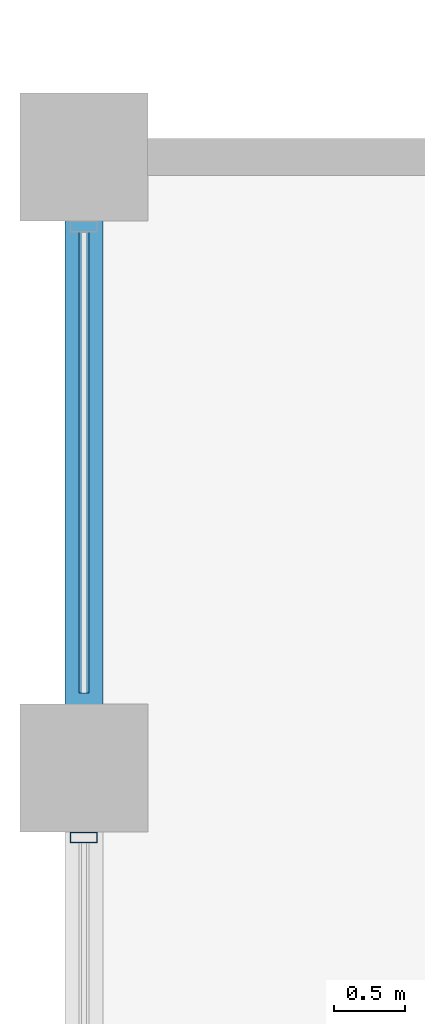
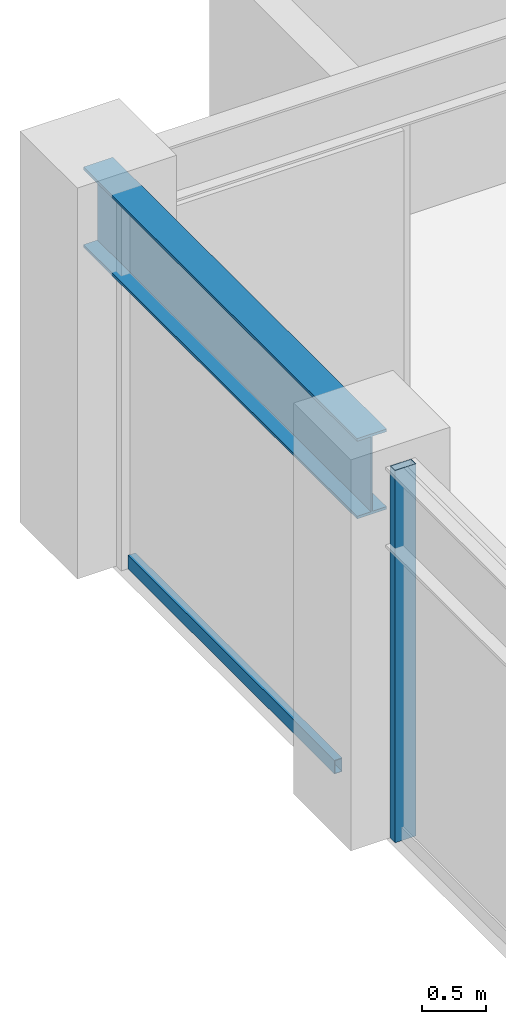
# One storey, part 16 of 32: 2 members, 1 beam, 1 element without a shape of its own.
"""IFC4 building model written with IfcOpenShell, lengths in metres."""

from ifc_helpers import new_model, si_unit, direction, frame, origin, origin_2d, place, context, subcontext, project, spatial, hollow_rectangle, i_section, extrude, material, layer, layer_set, material_profile, profile_set, type_object, element, aggregate, save


model = new_model("IFC4")

# Units and contexts
model_context = context("Model", 3, precision=1e-05, world=origin(), true_north=direction((0.0, 1.0)))
body_context = subcontext(model_context, "Body", "Model", "MODEL_VIEW")
ifc_project = project(units=[si_unit("LENGTHUNIT", "METRE"), si_unit("AREAUNIT", "SQUARE_METRE"), si_unit("VOLUMEUNIT", "CUBIC_METRE"), si_unit("PLANEANGLEUNIT", "RADIAN"), si_unit("MASSUNIT", "GRAM", prefix="KILO")], contexts=[model_context])

# Site, building, storey
site_placement = place(None, origin())
site = spatial("IfcSite", under=ifc_project, at=site_placement, CompositionType="ELEMENT")
building_placement = place(site_placement, origin())
building = spatial("IfcBuilding", under=site, at=building_placement, Name="Surkhivell Harbour Commons", CompositionType="ELEMENT")
storey_placement = place(building_placement, frame((0.0, 0.0, 212.25)))
storey = spatial("IfcBuildingStorey", under=building, at=storey_placement, Name="L55", CompositionType="ELEMENT", Elevation=212.25)

# Beam
ifc_material_1 = material(Name="Steel S355", Category="steel")
ifc_material_profile_1 = material_profile(ifc_material_1, i_section(OverallWidth=0.26806640625, OverallDepth=0.77001953125, WebThickness=0.015625, FlangeThickness=0.025390625, at=origin_2d()), Name="UB762x267x197")
ifc_profile_set_1 = profile_set([ifc_material_profile_1], Name="Steel S355")
beam_type = type_object("IfcBeamType", Name="BM-SPN-762", PredefinedType="SPANDREL", material=ifc_profile_set_1)
beam_placement = place(storey_placement, frame((-27.0, 16.199951171875, 3.18505859375), z_axis=(0.0, 1.0, 0.0), x_axis=(-1.0, 0.0, 0.0)))
element("IfcBeam", 1, at=beam_placement, inside=storey, type_object=beam_type, Name="L55 Tube Spandrel (-27.0,16.2)", PredefinedType="SPANDREL", context=body_context, shape_type="SweptSolid", body=[
    extrude(i_section(OverallWidth=0.26806640625, OverallDepth=0.77001953125, WebThickness=0.015625, FlangeThickness=0.025390625, at=origin_2d()), origin(), (0.0, 0.0, 1.0), 4.300048828125),
])

# Curtain wall, members
ifc_material_2 = material(Name="Anodised pale-metal aluminium and insulated glazing", Category="aluminium")
ifc_layer = layer(ifc_material_2, 0.18994140625)
ifc_layer_set = layer_set([ifc_layer], Name="Anodised pale-metal aluminium and insulated glazing")
curtain_wall_type = type_object("IfcCurtainWallType", Name="CW-SYS-Z3", PredefinedType="NOTDEFINED", material=ifc_layer_set)
curtain_wall_placement = place(storey_placement, origin())
curtain_wall = element("IfcCurtainWall", 2, at=curtain_wall_placement, inside=storey, type_object=curtain_wall_type, Name="L55 Curtain Wall CW-L55-E12S1", PredefinedType="NOTDEFINED")
ifc_material_3 = material(Name="Anodised pale-metal aluminium alloy 6063-T6", Category="aluminium")
ifc_material_profile_2 = material_profile(ifc_material_3, hollow_rectangle(XDim=0.074951171875, YDim=0.18994140625, WallThickness=0.00390625, at=origin_2d()), Name="ALU-MULL-75x190")
ifc_profile_set_2 = profile_set([ifc_material_profile_2], Name="Anodised pale-metal aluminium alloy 6063-T6")
member_type_1 = type_object("IfcMemberType", Name="CWM-190", PredefinedType="MULLION", material=ifc_profile_set_2)
member_1_placement = place(storey_placement, frame((-27.0, 15.71044921875, 0.0), z_axis=(0.0, 0.0, 1.0), x_axis=(0.0, -1.0, 0.0)))
member_1 = element("IfcMember", 3, at=member_1_placement, type_object=member_type_1, Name="CW-Z3 mullion 2", PredefinedType="MULLION", context=body_context, shape_type="SweptSolid", body=[
    extrude(hollow_rectangle(XDim=0.074951171875, YDim=0.18994140625, WallThickness=0.00390625, at=origin_2d()), origin(), (0.0, 0.0, 1.0), 3.570068359375),
])
ifc_material_4 = material(Name="Champagne anodised aluminium alloy 6063-T6", Category="aluminium")
ifc_material_profile_3 = material_profile(ifc_material_4, hollow_rectangle(XDim=0.070068359375, YDim=0.1298828125, WallThickness=0.00341796875, at=origin_2d()), Name="ALU-TRAN-70x130")
ifc_profile_set_3 = profile_set([ifc_material_profile_3], Name="Champagne anodised aluminium alloy 6063-T6")
member_type_2 = type_object("IfcMemberType", Name="CWT-130", PredefinedType="USERDEFINED", material=ifc_profile_set_3)
member_2_placement = place(storey_placement, frame((-27.0, 19.972900390625, 0.06494140625), z_axis=(0.0, -1.0, 0.0), x_axis=(1.0, 0.0, 0.0)))
member_2 = element("IfcMember", 4, at=member_2_placement, type_object=member_type_2, Name="CW-Z3 transom 1.1", ObjectType="TRANSOM", PredefinedType="USERDEFINED", context=body_context, shape_type="SweptSolid", body=[
    extrude(hollow_rectangle(XDim=0.070068359375, YDim=0.1298828125, WallThickness=0.00341796875, at=origin_2d()), origin(), (0.0, 0.0, 1.0), 3.245849609375),
])
aggregate(curtain_wall, [member_2, member_1])

save(model, "model.ifc")
